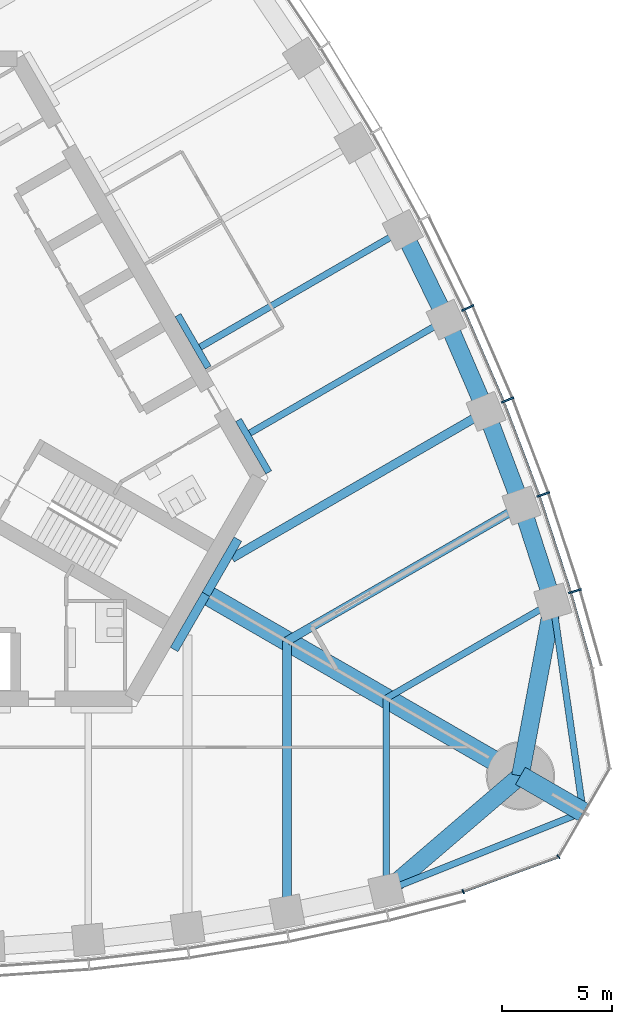
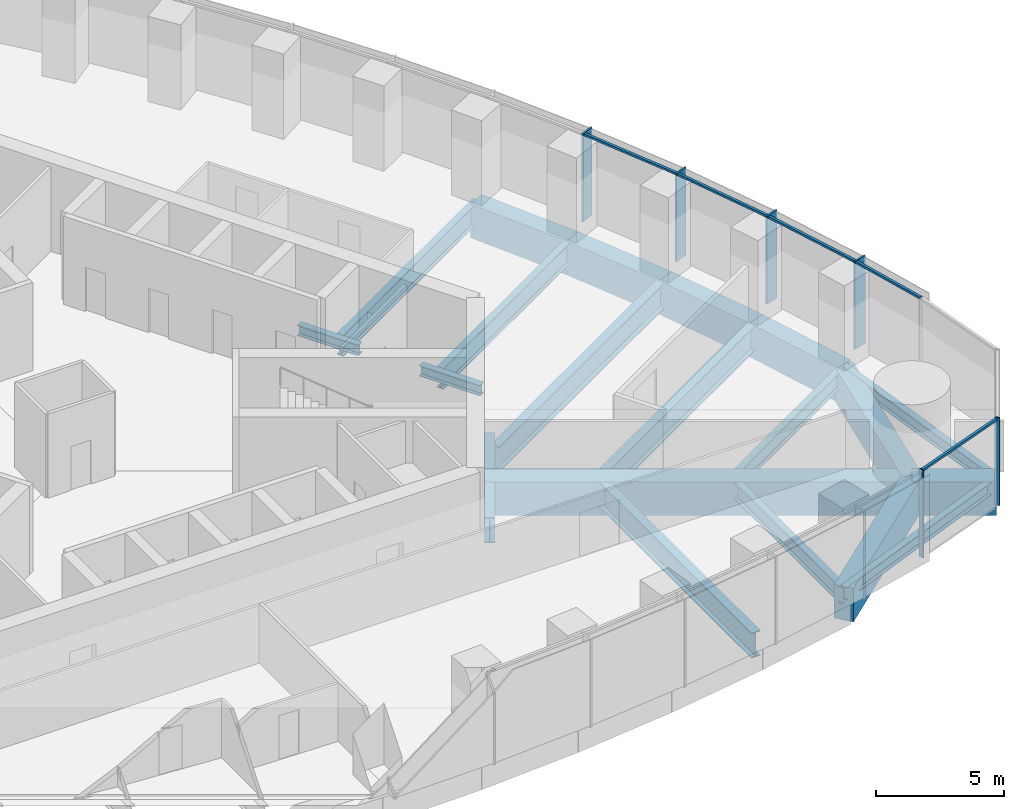
# One storey, part 4 of 19: 21 beams, 11 members, 2 elements without a shape of their own.
"""IFC4 building model written with IfcOpenShell, lengths in metres."""

from ifc_helpers import new_model, si_unit, direction, frame, origin, origin_2d, place, context, subcontext, project, spatial, rectangle, i_section, extrude, material, material_profile, profile_set, type_object, element, aggregate, save


model = new_model("IFC4")

# Units and contexts
model_context = context("Model", 3, precision=1e-05, world=origin(), true_north=direction((0.0, 1.0)))
body_context = subcontext(model_context, "Body", "Model", "MODEL_VIEW")
ifc_project = project(units=[si_unit("LENGTHUNIT", "METRE"), si_unit("AREAUNIT", "SQUARE_METRE"), si_unit("VOLUMEUNIT", "CUBIC_METRE"), si_unit("PLANEANGLEUNIT", "RADIAN"), si_unit("MASSUNIT", "GRAM", prefix="KILO")], contexts=[model_context])

# Site, building, storey
site_placement = place(None, origin())
site = spatial("IfcSite", under=ifc_project, at=site_placement, CompositionType="ELEMENT")
building_placement = place(site_placement, origin())
building = spatial("IfcBuilding", under=site, at=building_placement, Name="Trefoil Bronze Tower", CompositionType="ELEMENT")
storey_placement = place(building_placement, frame((0.0, 0.0, 244.300048828125)))
storey = spatial("IfcBuildingStorey", under=building, at=storey_placement, Name="L56", CompositionType="ELEMENT", Elevation=244.300048828125)

# Curtain wall, members
ifc_material_1 = material(Name="Tinted solar-control glass", Category="glass")
curtain_wall_type_1 = type_object("IfcCurtainWallType", Name="Bronze office curtain wall", PredefinedType="USERDEFINED", material=ifc_material_1)
curtain_wall_1_placement = place(storey_placement, origin())
curtain_wall_1 = element("IfcCurtainWall", 1, at=curtain_wall_1_placement, inside=storey, type_object=curtain_wall_type_1, Name="CW-A L56 F2", ObjectType="CURTAIN WALL", PredefinedType="USERDEFINED")
ifc_material_2 = material(Name="Bronze-finish aluminium", Category="aluminium")
ifc_material_profile_1 = material_profile(ifc_material_2, rectangle(XDim=0.60009765625, YDim=0.080078125, at=origin_2d()), Name="CW-A mullion")
ifc_profile_set_1 = profile_set([ifc_material_profile_1], Name="Bronze-finish aluminium")
member_type_1 = type_object("IfcMemberType", Name="Bronze office curtain wall mullion", PredefinedType="MULLION", material=ifc_profile_set_1)
member_1_placement = place(storey_placement, frame((31.05029296875, -8.132568359375, 0.0), z_axis=(0.0, 0.0, 1.0), x_axis=(-0.95694224323, -0.290278389002, 0.0)))
member_1 = element("IfcMember", 2, at=member_1_placement, type_object=member_type_1, Name="CW-A L56 F2 mullion 2", PredefinedType="MULLION", context=body_context, shape_type="SweptSolid", body=[
    extrude(rectangle(XDim=0.60009765625, YDim=0.080078125, at=origin_2d()), origin(), (0.0, 0.0, 1.0), 4.179931640625),
])
member_2_placement = place(storey_placement, frame((29.619873046875, -3.747314453125, 0.0), z_axis=(0.0, 0.0, 1.0), x_axis=(-0.943180077746, -0.332282020191, 0.0)))
member_2 = element("IfcMember", 3, at=member_2_placement, type_object=member_type_1, Name="CW-A L56 F2 mullion 3", PredefinedType="MULLION", context=body_context, shape_type="SweptSolid", body=[
    extrude(rectangle(XDim=0.60009765625, YDim=0.080078125, at=origin_2d()), origin(), (0.0, 0.0, 1.0), 4.179931640625),
])
member_3_placement = place(storey_placement, frame((27.999755859375, 0.529541015625, 0.0), z_axis=(0.0, 0.0, 1.0), x_axis=(-0.926689348282, -0.375828221106, 0.0)))
member_3 = element("IfcMember", 4, at=member_3_placement, type_object=member_type_1, Name="CW-A L56 F2 mullion 4", PredefinedType="MULLION", context=body_context, shape_type="SweptSolid", body=[
    extrude(rectangle(XDim=0.60009765625, YDim=0.080078125, at=origin_2d()), origin(), (0.0, 0.0, 1.0), 4.179931640625),
])
member_4_placement = place(storey_placement, frame((26.19482421875, 4.699462890625, 0.0), z_axis=(0.0, 0.0, 1.0), x_axis=(-0.908315380354, -0.418285990457, 0.0)))
member_4 = element("IfcMember", 5, at=member_4_placement, type_object=member_type_1, Name="CW-A L56 F2 mullion 5", PredefinedType="MULLION", context=body_context, shape_type="SweptSolid", body=[
    extrude(rectangle(XDim=0.60009765625, YDim=0.080078125, at=origin_2d()), origin(), (0.0, 0.0, 1.0), 4.179931640625),
])
ifc_material_3 = material(Name="Bronze-finish aluminium", Category="aluminium")
ifc_material_profile_2 = material_profile(ifc_material_3, rectangle(XDim=0.1201171875, YDim=0.10009765625, at=origin_2d()), Name="CW-A transom")
ifc_profile_set_2 = profile_set([ifc_material_profile_2], Name="Bronze-finish aluminium")
member_type_2 = type_object("IfcMemberType", Name="Bronze office curtain wall transom", PredefinedType="USERDEFINED", material=ifc_profile_set_2)
member_5_placement = place(storey_placement, frame((31.81201171875, -11.585205078125, 4.1298828125), z_axis=(-0.270284880437, 0.962780392097, 0.0), x_axis=(-0.962780392097, -0.270284880437, 0.0)))
member_5 = element("IfcMember", 6, at=member_5_placement, type_object=member_type_2, Name="CW-A L56 F2 transom 1", ObjectType="TRANSOM", PredefinedType="USERDEFINED", context=body_context, shape_type="SweptSolid", body=[
    extrude(rectangle(XDim=0.1201171875, YDim=0.10009765625, at=origin_2d()), origin(), (0.0, 0.0, 1.0), 3.48388671875),
])
member_6_placement = place(storey_placement, frame((30.845947265625, -8.150634765625, 4.1298828125), z_axis=(-0.310127806788, 0.950694874004, 0.0), x_axis=(-0.950694874004, -0.310127806788, 0.0)))
member_6 = element("IfcMember", 7, at=member_6_placement, type_object=member_type_2, Name="CW-A L56 F2 transom 2", ObjectType="TRANSOM", PredefinedType="USERDEFINED", context=body_context, shape_type="SweptSolid", body=[
    extrude(rectangle(XDim=0.1201171875, YDim=0.10009765625, at=origin_2d()), origin(), (0.0, 0.0, 1.0), 4.51953125),
])
member_7_placement = place(storey_placement, frame((29.416259765625, -3.774169921875, 4.1298828125), z_axis=(-0.354263170896, 0.935145767112, 0.0), x_axis=(-0.935145767112, -0.354263170896, 0.0)))
member_7 = element("IfcMember", 8, at=member_7_placement, type_object=member_type_2, Name="CW-A L56 F2 transom 3", ObjectType="TRANSOM", PredefinedType="USERDEFINED", context=body_context, shape_type="SweptSolid", body=[
    extrude(rectangle(XDim=0.1201171875, YDim=0.10009765625, at=origin_2d()), origin(), (0.0, 0.0, 1.0), 4.4794921875),
])
member_8_placement = place(storey_placement, frame((27.797607421875, 0.4931640625, 4.1298828125), z_axis=(-0.397220936772, 0.917723012346, 0.0), x_axis=(-0.917723012346, -0.397220936772, 0.0)))
member_8 = element("IfcMember", 9, at=member_8_placement, type_object=member_type_2, Name="CW-A L56 F2 transom 4", ObjectType="TRANSOM", PredefinedType="USERDEFINED", context=body_context, shape_type="SweptSolid", body=[
    extrude(rectangle(XDim=0.1201171875, YDim=0.10009765625, at=origin_2d()), origin(), (0.0, 0.0, 1.0), 4.449951171875),
])
aggregate(curtain_wall_1, [member_1, member_2, member_3, member_4, member_5, member_6, member_7, member_8])

ifc_material_4 = material(Name="Tinted solar-control glass", Category="glass")
curtain_wall_type_2 = type_object("IfcCurtainWallType", Name="Bronze rounded corner curtain wall", PredefinedType="USERDEFINED", material=ifc_material_4)
curtain_wall_2_placement = place(storey_placement, origin())
curtain_wall_2 = element("IfcCurtainWall", 10, at=curtain_wall_2_placement, inside=storey, type_object=curtain_wall_type_2, Name="CW-B L56 K1", ObjectType="CURTAIN WALL", PredefinedType="USERDEFINED")
ifc_material_5 = material(Name="Bronze-finish aluminium", Category="aluminium")
ifc_material_profile_3 = material_profile(ifc_material_5, rectangle(XDim=0.199951171875, YDim=0.06005859375, at=origin_2d()), Name="CW-B mullion")
ifc_profile_set_3 = profile_set([ifc_material_profile_3], Name="Bronze-finish aluminium")
member_type_3 = type_object("IfcMemberType", Name="Bronze rounded corner curtain wall mullion", PredefinedType="MULLION", material=ifc_profile_set_3)
member_9_placement = place(storey_placement, frame((25.9873046875, -21.74462890625, 0.0), z_axis=(0.0, 0.0, 1.0), x_axis=(-0.342020143326, 0.939692620786, 0.0)))
member_9 = element("IfcMember", 11, at=member_9_placement, type_object=member_type_3, Name="CW-B L56 K1 mullion 1", PredefinedType="MULLION", context=body_context, shape_type="SweptSolid", body=[
    extrude(rectangle(XDim=0.199951171875, YDim=0.06005859375, at=origin_2d()), origin(), (0.0, 0.0, 1.0), 4.179931640625),
])
member_10_placement = place(storey_placement, frame((30.302490234375, -20.16748046875, 0.0), z_axis=(0.0, 0.0, 1.0), x_axis=(-0.642787609687, 0.766044443119, 0.0)))
member_10 = element("IfcMember", 12, at=member_10_placement, type_object=member_type_3, Name="CW-B L56 K1 mullion 2", PredefinedType="MULLION", context=body_context, shape_type="SweptSolid", body=[
    extrude(rectangle(XDim=0.199951171875, YDim=0.06005859375, at=origin_2d()), origin(), (0.0, 0.0, 1.0), 4.179931640625),
])
ifc_material_6 = material(Name="Bronze-finish aluminium", Category="aluminium")
ifc_material_profile_4 = material_profile(ifc_material_6, rectangle(XDim=0.1201171875, YDim=0.10009765625, at=origin_2d()), Name="CW-B transom")
ifc_profile_set_4 = profile_set([ifc_material_profile_4], Name="Bronze-finish aluminium")
member_type_4 = type_object("IfcMemberType", Name="Bronze rounded corner curtain wall transom", PredefinedType="USERDEFINED", material=ifc_profile_set_4)
member_11_placement = place(storey_placement, frame((26.015380859375, -21.734375, 4.1298828125), z_axis=(0.939680910753, 0.342052314664, 0.0), x_axis=(-0.342052314664, 0.939680910753, 0.0)))
member_11 = element("IfcMember", 13, at=member_11_placement, type_object=member_type_4, Name="CW-B L56 K1 transom 1", ObjectType="TRANSOM", PredefinedType="USERDEFINED", context=body_context, shape_type="SweptSolid", body=[
    extrude(rectangle(XDim=0.1201171875, YDim=0.10009765625, at=origin_2d()), origin(), (0.0, 0.0, 1.0), 4.500244140625),
])
aggregate(curtain_wall_2, [member_9, member_10, member_11])

# Beams
ifc_material_7 = material(Name="Steel C355", Category="steel")
ifc_material_profile_5 = material_profile(ifc_material_7, i_section(OverallWidth=0.300048828125, OverallDepth=0.5, WebThickness=0.014404296875, FlangeThickness=0.028076171875, FilletRadius=0.027099609375, at=origin_2d()), Name="HEB 500")
ifc_profile_set_5 = profile_set([ifc_material_profile_5], Name="Steel C355")
beam_type_1 = type_object("IfcBeamType", Name="Core seat beam HEB 500", PredefinedType="BEAM", material=ifc_profile_set_5)
for number, where, z_axis, x_axis, name in (
    (14, (17.17626953125, -2.75, -0.449951171875), (-0.500035825175, 0.866004719122, 0.0), (-0.866004719122, -0.500035825175, 0.0), "Core seat beam F2/-2 L56"),
    (15, (14.433837890625, 2.0, -0.449951171875), (-0.500035825175, 0.866004719122, 0.0), (-0.866004719122, -0.500035825175, 0.0), "Core seat beam F2/-1 L56"),
):
    element("IfcBeam", number, at=place(storey_placement, frame(where, z_axis=z_axis, x_axis=x_axis)), inside=storey, type_object=beam_type_1, Name=name, PredefinedType="BEAM", context=body_context, shape_type="SweptSolid", body=[
        extrude(i_section(OverallWidth=0.300048828125, OverallDepth=0.5, WebThickness=0.014404296875, FlangeThickness=0.028076171875, FilletRadius=0.027099609375, at=origin_2d()), origin(), (0.0, 0.0, 1.0), 2.742431640625),
    ])
ifc_material_8 = material(Name="Steel C355", Category="steel")
ifc_material_profile_6 = material_profile(ifc_material_8, i_section(OverallWidth=0.39990234375, OverallDepth=1.199951171875, WebThickness=0.02001953125, FlangeThickness=0.0400390625, FilletRadius=0.010009765625, at=origin_2d()), Name="WPG 1200")
ifc_profile_set_6 = profile_set([ifc_material_profile_6], Name="Steel C355")
beam_type_2 = type_object("IfcBeamType", Name="Core seat beam WPG 1200", PredefinedType="BEAM", material=ifc_profile_set_6)
for number, where, z_axis, x_axis, name in (
    (16, (12.889404296875, -10.77490234375, -0.800048828125), (0.499995765644, 0.866027848477, 0.0), (-0.866027848477, 0.499995765644, 0.0), "Core seat beam F1/+3 L56"),
    (17, (14.332763671875, -8.27490234375, -0.800048828125), (0.499995765644, 0.866027848477, 0.0), (-0.866027848477, 0.499995765644, 0.0), "Core seat beam F2/-3 L56"),
):
    element("IfcBeam", number, at=place(storey_placement, frame(where, z_axis=z_axis, x_axis=x_axis)), inside=storey, type_object=beam_type_2, Name=name, PredefinedType="BEAM", context=body_context, shape_type="SweptSolid", body=[
        extrude(i_section(OverallWidth=0.39990234375, OverallDepth=1.199951171875, WebThickness=0.02001953125, FlangeThickness=0.0400390625, FilletRadius=0.010009765625, at=origin_2d()), origin(), (0.0, 0.0, 1.0), 2.88671875),
    ])
ifc_material_9 = material(Name="Concrete B80", Category="concrete")
ifc_material_profile_7 = material_profile(ifc_material_9, rectangle(XDim=0.89990234375, YDim=1.60009765625, at=origin_2d()), Name="RC 900x1600")
ifc_profile_set_7 = profile_set([ifc_material_profile_7], Name="Concrete B80")
beam_type_3 = type_object("IfcBeamType", Name="Corner cantilever RC 900x1600", PredefinedType="BEAM", material=ifc_profile_set_7)
beam_1_placement = place(storey_placement, frame((28.578857421875, -16.5, -1.0), z_axis=(0.866016004958, -0.500016278891, 0.0), x_axis=(0.500016278891, 0.866016004958, 0.0)))
element("IfcBeam", 18, at=beam_1_placement, inside=storey, type_object=beam_type_3, Name="Corner cantilever K1 L56", PredefinedType="BEAM", context=body_context, shape_type="SweptSolid", body=[
    extrude(rectangle(XDim=0.89990234375, YDim=1.60009765625, at=origin_2d()), origin(), (0.0, 0.0, 1.0), 3.28466796875),
])
ifc_material_10 = material(Name="Steel C355", Category="steel")
ifc_material_profile_8 = material_profile(ifc_material_10, i_section(OverallWidth=0.300048828125, OverallDepth=0.60009765625, WebThickness=0.015380859375, FlangeThickness=0.030029296875, FilletRadius=0.027099609375, at=origin_2d()), Name="HEB 600")
ifc_profile_set_8 = profile_set([ifc_material_profile_8], Name="Steel C355")
beam_type_4 = type_object("IfcBeamType", Name="Corner edge beam HEB 600", PredefinedType="BEAM", material=ifc_profile_set_8)
for number, where, z_axis, x_axis, name in (
    (19, (22.5, -21.71044921875, -0.5), (0.92852048463, 0.371281173266, 0.0), (-0.371281173266, 0.92852048463, 0.0), "Corner edge beam F1A L56"),
    (20, (30.052001953125, -8.63037109375, -0.5), (0.142694489722, -0.989766781925, 0.0), (0.989766781925, 0.142694489722, 0.0), "Corner edge beam F2B L56"),
):
    element("IfcBeam", number, at=place(storey_placement, frame(where, z_axis=z_axis, x_axis=x_axis)), inside=storey, type_object=beam_type_4, Name=name, PredefinedType="BEAM", context=body_context, shape_type="SweptSolid", body=[
        extrude(i_section(OverallWidth=0.300048828125, OverallDepth=0.60009765625, WebThickness=0.015380859375, FlangeThickness=0.030029296875, FilletRadius=0.027099609375, at=origin_2d()), origin(), (0.0, 0.0, 1.0), 9.6103515625),
    ])
ifc_material_11 = material(Name="Concrete B80", Category="concrete")
ifc_material_profile_9 = material_profile(ifc_material_11, rectangle(XDim=0.89990234375, YDim=1.60009765625, at=origin_2d()), Name="RC 900x1600")
ifc_profile_set_9 = profile_set([ifc_material_profile_9], Name="Concrete B80")
beam_type_5 = type_object("IfcBeamType", Name="Corner girder RC 900x1600", PredefinedType="BEAM", material=ifc_profile_set_9)
beam_2_placement = place(storey_placement, frame((14.159423828125, -8.175048828125, -1.0), z_axis=(0.866028334591, -0.49999492366, 0.0), x_axis=(0.49999492366, 0.866028334591, 0.0)))
element("IfcBeam", 21, at=beam_2_placement, inside=storey, type_object=beam_type_5, Name="Corner girder K1 L56", PredefinedType="BEAM", context=body_context, shape_type="SweptSolid", body=[
    extrude(rectangle(XDim=0.89990234375, YDim=1.60009765625, at=origin_2d()), origin(), (0.0, 0.0, 1.0), 16.650146484375),
])
ifc_material_12 = material(Name="Concrete B80", Category="concrete")
ifc_material_profile_10 = material_profile(ifc_material_12, rectangle(XDim=0.800048828125, YDim=1.60009765625, at=origin_2d()), Name="RC 800x1600")
ifc_profile_set_10 = profile_set([ifc_material_profile_10], Name="Concrete B80")
beam_type_6 = type_object("IfcBeamType", Name="End spandrel beam RC 800x1600", PredefinedType="SPANDREL", material=ifc_profile_set_10)
for number, where, z_axis, x_axis, name in (
    (22, (22.5, -21.71044921875, -1.0), (0.759256602365, 0.650791373456, 0.0), (-0.650791373456, 0.759256602365, 0.0), "Spandrel F1.12 L56"),
    (23, (28.578857421875, -16.5, -1.0), (0.18399763073, 0.982926686933, 0.0), (-0.982926686933, 0.18399763073, 0.0), "Spandrel F2.1 L56"),
):
    element("IfcBeam", number, at=place(storey_placement, frame(where, z_axis=z_axis, x_axis=x_axis)), inside=storey, type_object=beam_type_6, Name=name, PredefinedType="SPANDREL", context=body_context, shape_type="SweptSolid", body=[
        extrude(rectangle(XDim=0.800048828125, YDim=1.60009765625, at=origin_2d()), origin(), (0.0, 0.0, 1.0), 8.00634765625),
    ])
ifc_material_13 = material(Name="Steel C355", Category="steel")
ifc_material_profile_11 = material_profile(ifc_material_13, i_section(OverallWidth=0.300048828125, OverallDepth=1.0, WebThickness=0.01904296875, FlangeThickness=0.035888671875, FilletRadius=0.030029296875, at=origin_2d()), Name="HEB 1000")
ifc_profile_set_11 = profile_set([ifc_material_profile_11], Name="Steel C355")
beam_type_7 = type_object("IfcBeamType", Name="Floor beam HEB 1000", PredefinedType="BEAM", material=ifc_profile_set_11)
beam_3_placement = place(storey_placement, frame((25.2265625, 4.17236328125, -0.699951171875), z_axis=(-0.866019527493, -0.500010177898, 0.0), x_axis=(0.500010177898, -0.866019527493, 0.0)))
element("IfcBeam", 24, at=beam_3_placement, inside=storey, type_object=beam_type_7, Name="Floor beam F2/-2 L56", PredefinedType="BEAM", context=body_context, shape_type="SweptSolid", body=[
    extrude(i_section(OverallWidth=0.300048828125, OverallDepth=1.0, WebThickness=0.01904296875, FlangeThickness=0.035888671875, FilletRadius=0.030029296875, at=origin_2d()), origin(), (0.0, 0.0, 1.0), 10.282958984375),
])
ifc_material_14 = material(Name="Steel C355", Category="steel")
ifc_material_profile_12 = material_profile(ifc_material_14, i_section(OverallWidth=0.300048828125, OverallDepth=0.800048828125, WebThickness=0.017578125, FlangeThickness=0.032958984375, FilletRadius=0.030029296875, at=origin_2d()), Name="HEB 800")
ifc_profile_set_12 = profile_set([ifc_material_profile_12], Name="Steel C355")
beam_type_8 = type_object("IfcBeamType", Name="Floor beam HEB 800", PredefinedType="BEAM", material=ifc_profile_set_12)
beam_4_placement = place(storey_placement, frame((22.5, -21.71044921875, -0.60009765625), z_axis=(0.0, 1.0, 0.0), x_axis=(-1.0, 0.0, 0.0)))
element("IfcBeam", 25, at=beam_4_placement, inside=storey, type_object=beam_type_8, Name="Floor beam F1/+5 L56", PredefinedType="BEAM", context=body_context, shape_type="SweptSolid", body=[
    extrude(i_section(OverallWidth=0.300048828125, OverallDepth=0.800048828125, WebThickness=0.017578125, FlangeThickness=0.032958984375, FilletRadius=0.030029296875, at=origin_2d()), origin(), (0.0, 0.0, 1.0), 8.719970703125),
])
beam_5_placement = place(storey_placement, frame((30.052001953125, -8.63037109375, -0.60009765625), z_axis=(-0.866027535932, -0.499996306993, 0.0), x_axis=(0.499996306993, -0.866027535932, 0.0)))
element("IfcBeam", 26, at=beam_5_placement, inside=storey, type_object=beam_type_8, Name="Floor beam F2/-5 L56", PredefinedType="BEAM", context=body_context, shape_type="SweptSolid", body=[
    extrude(i_section(OverallWidth=0.300048828125, OverallDepth=0.800048828125, WebThickness=0.017578125, FlangeThickness=0.032958984375, FilletRadius=0.030029296875, at=origin_2d()), origin(), (0.0, 0.0, 1.0), 8.72021484375),
])
ifc_material_15 = material(Name="Steel C355", Category="steel")
ifc_material_profile_13 = material_profile(ifc_material_15, i_section(OverallWidth=0.302001953125, OverallDepth=1.008056640625, WebThickness=0.02099609375, FlangeThickness=0.0400390625, FilletRadius=0.030029296875, at=origin_2d()), Name="HEM 1000")
ifc_profile_set_13 = profile_set([ifc_material_profile_13], Name="Steel C355")
beam_type_9 = type_object("IfcBeamType", Name="Floor beam HEM 1000", PredefinedType="BEAM", material=ifc_profile_set_13)
beam_6_placement = place(storey_placement, frame((23.248046875, 8.22607421875, -0.7041015625), z_axis=(-0.86602981261, -0.499992363612, 0.0), x_axis=(0.499992363612, -0.86602981261, 0.0)))
element("IfcBeam", 27, at=beam_6_placement, inside=storey, type_object=beam_type_9, Name="Floor beam F2/-1 L56", PredefinedType="BEAM", context=body_context, shape_type="SweptSolid", body=[
    extrude(i_section(OverallWidth=0.302001953125, OverallDepth=1.008056640625, WebThickness=0.02099609375, FlangeThickness=0.0400390625, FilletRadius=0.030029296875, at=origin_2d()), origin(), (0.0, 0.0, 1.0), 10.596435546875),
])
ifc_material_16 = material(Name="Steel C355", Category="steel")
ifc_material_profile_14 = material_profile(ifc_material_16, i_section(OverallWidth=0.39990234375, OverallDepth=1.199951171875, WebThickness=0.02001953125, FlangeThickness=0.0400390625, FilletRadius=0.010009765625, at=origin_2d()), Name="WPG 1200")
ifc_profile_set_14 = profile_set([ifc_material_profile_14], Name="Steel C355")
beam_type_10 = type_object("IfcBeamType", Name="Floor beam WPG 1200", PredefinedType="BEAM", material=ifc_profile_set_14)
beam_7_placement = place(storey_placement, frame((18.0, -22.6689453125, -0.800048828125), z_axis=(0.0, 1.0, 0.0), x_axis=(-1.0, 0.0, 0.0)))
element("IfcBeam", 28, at=beam_7_placement, inside=storey, type_object=beam_type_10, Name="Floor beam F1/+4 L56", PredefinedType="BEAM", context=body_context, shape_type="SweptSolid", body=[
    extrude(i_section(OverallWidth=0.39990234375, OverallDepth=1.199951171875, WebThickness=0.02001953125, FlangeThickness=0.0400390625, FilletRadius=0.010009765625, at=origin_2d()), origin(), (0.0, 0.0, 1.0), 12.276611328125),
])
beam_8_placement = place(storey_placement, frame((28.632080078125, -4.25390625, -0.800048828125), z_axis=(-0.866025635187, -0.499999599199, 0.0), x_axis=(0.499999599199, -0.866025635187, 0.0)))
element("IfcBeam", 29, at=beam_8_placement, inside=storey, type_object=beam_type_10, Name="Floor beam F2/-4 L56", PredefinedType="BEAM", context=body_context, shape_type="SweptSolid", body=[
    extrude(i_section(OverallWidth=0.39990234375, OverallDepth=1.199951171875, WebThickness=0.02001953125, FlangeThickness=0.0400390625, FilletRadius=0.010009765625, at=origin_2d()), origin(), (0.0, 0.0, 1.0), 12.27685546875),
])
beam_9_placement = place(storey_placement, frame((27.022216796875, 0.012939453125, -0.800048828125), z_axis=(-0.866023461342, -0.500003364394, 0.0), x_axis=(0.500003364394, -0.866023461342, 0.0)))
element("IfcBeam", 30, at=beam_9_placement, inside=storey, type_object=beam_type_10, Name="Floor beam F2/-3 L56", PredefinedType="BEAM", context=body_context, shape_type="SweptSolid", body=[
    extrude(i_section(OverallWidth=0.39990234375, OverallDepth=1.199951171875, WebThickness=0.02001953125, FlangeThickness=0.0400390625, FilletRadius=0.010009765625, at=origin_2d()), origin(), (0.0, 0.0, 1.0), 13.291015625),
])
ifc_material_17 = material(Name="Concrete B80", Category="concrete")
ifc_material_profile_15 = material_profile(ifc_material_17, rectangle(XDim=0.800048828125, YDim=1.60009765625, at=origin_2d()), Name="RC 800x1600")
ifc_profile_set_15 = profile_set([ifc_material_profile_15], Name="Concrete B80")
beam_type_11 = type_object("IfcBeamType", Name="Spandrel beam RC 800x1600", PredefinedType="SPANDREL", material=ifc_profile_set_15)
beam_10_placement = place(storey_placement, frame((30.052001953125, -8.63037109375, -1.0), z_axis=(-0.308608505504, 0.951189145402, 0.0), x_axis=(-0.951189145402, -0.308608505504, 0.0)))
element("IfcBeam", 31, at=beam_10_placement, inside=storey, type_object=beam_type_11, Name="Spandrel F2.2 L56", PredefinedType="SPANDREL", context=body_context, shape_type="SweptSolid", body=[
    extrude(rectangle(XDim=0.800048828125, YDim=1.60009765625, at=origin_2d()), origin(), (0.0, 0.0, 1.0), 4.60107421875),
])
beam_11_placement = place(storey_placement, frame((28.632080078125, -4.25390625, -1.0), z_axis=(-0.353005969632, 0.935621069346, 0.0), x_axis=(-0.935621069346, -0.353005969632, 0.0)))
element("IfcBeam", 32, at=beam_11_placement, inside=storey, type_object=beam_type_11, Name="Spandrel F2.3 L56", PredefinedType="SPANDREL", context=body_context, shape_type="SweptSolid", body=[
    extrude(rectangle(XDim=0.800048828125, YDim=1.60009765625, at=origin_2d()), origin(), (0.0, 0.0, 1.0), 4.560546875),
])
beam_12_placement = place(storey_placement, frame((27.022216796875, 0.012939453125, -1.0), z_axis=(-0.396350337164, 0.918099346602, 0.0), x_axis=(-0.918099346602, -0.396350337164, 0.0)))
element("IfcBeam", 33, at=beam_12_placement, inside=storey, type_object=beam_type_11, Name="Spandrel F2.4 L56", PredefinedType="SPANDREL", context=body_context, shape_type="SweptSolid", body=[
    extrude(rectangle(XDim=0.800048828125, YDim=1.60009765625, at=origin_2d()), origin(), (0.0, 0.0, 1.0), 4.530517578125),
])
beam_13_placement = place(storey_placement, frame((25.2265625, 4.17236328125, -1.0), z_axis=(-0.438619830351, 0.898672712629, 0.0), x_axis=(-0.898672712629, -0.438619830351, 0.0)))
element("IfcBeam", 34, at=beam_13_placement, inside=storey, type_object=beam_type_11, Name="Spandrel F2.5 L56", PredefinedType="SPANDREL", context=body_context, shape_type="SweptSolid", body=[
    extrude(rectangle(XDim=0.800048828125, YDim=1.60009765625, at=origin_2d()), origin(), (0.0, 0.0, 1.0), 4.5107421875),
])

save(model, "model.ifc")
